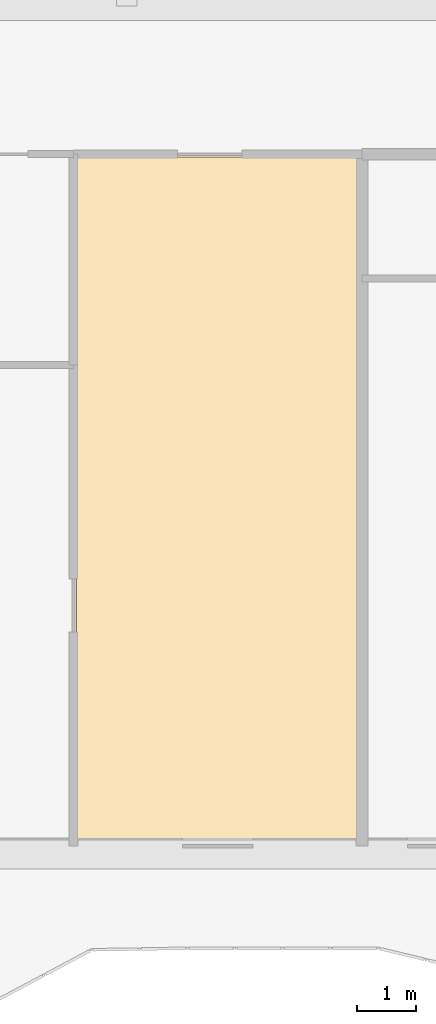
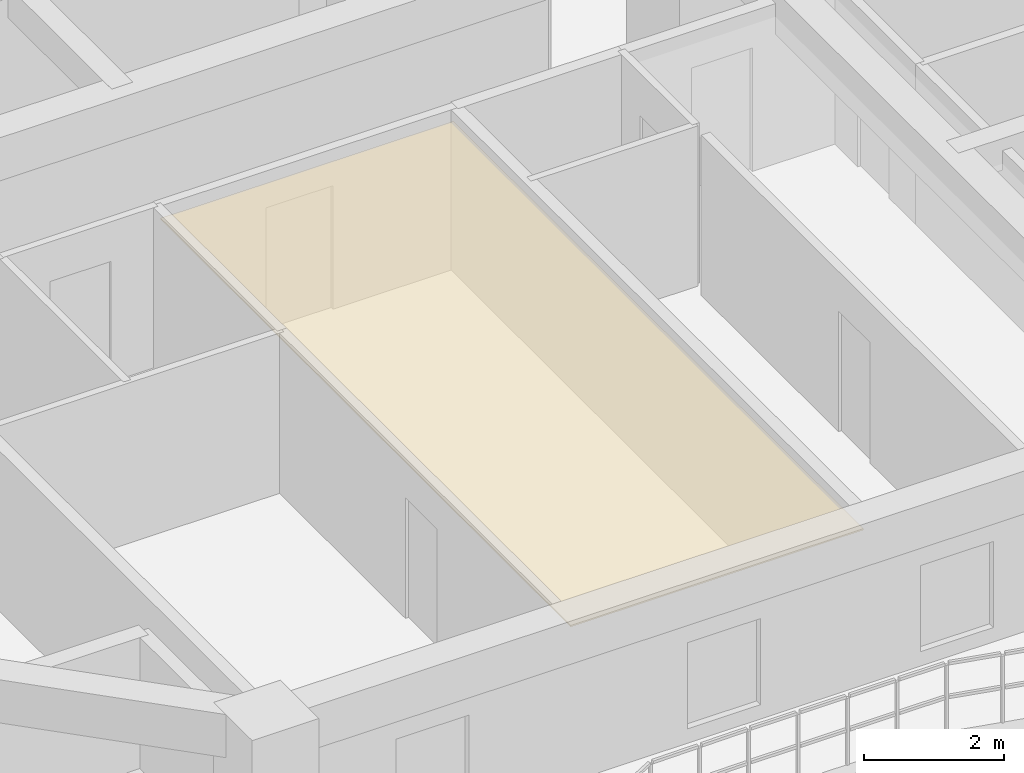
# One storey, part 10 of 15: 1 covering.
"""IFC4 building model written with IfcOpenShell, lengths in metres."""

from ifc_helpers import new_model, si_unit, direction, frame, origin, place, context, subcontext, project, spatial, polyline, outline, extrude, material, layer, layer_set, type_object, element, save


model = new_model("IFC4")

# Units and contexts
model_context = context("Model", 3, precision=1e-05, world=origin(), true_north=direction((0.0, 1.0)))
body_context = subcontext(model_context, "Body", "Model", "MODEL_VIEW")
ifc_project = project(units=[si_unit("LENGTHUNIT", "METRE"), si_unit("AREAUNIT", "SQUARE_METRE"), si_unit("VOLUMEUNIT", "CUBIC_METRE"), si_unit("PLANEANGLEUNIT", "RADIAN"), si_unit("MASSUNIT", "GRAM", prefix="KILO")], contexts=[model_context])

# Site, building, storey
site_placement = place(None, origin())
site = spatial("IfcSite", under=ifc_project, at=site_placement, CompositionType="ELEMENT")
building_placement = place(site_placement, origin())
building = spatial("IfcBuilding", under=site, at=building_placement, Name="Saelheon Loggia Tower", CompositionType="ELEMENT")
storey_placement = place(building_placement, frame((0.0, 0.0, 46.39990234375)))
storey = spatial("IfcBuildingStorey", under=building, at=storey_placement, Name="L14", CompositionType="ELEMENT", Elevation=46.39990234375)

# Covering
ifc_material = material(Name="Mineral-Fibre Acoustic Ceiling Board", Category="gypsum")
ifc_layer = layer(ifc_material, 0.02490234375)
ifc_layer_set = layer_set([ifc_layer], Name="Mineral-Fibre Acoustic Ceiling Board")
covering_type = type_object("IfcCoveringType", Name="Cov_Ceiling_Acoustic", PredefinedType="CEILING", material=ifc_layer_set)
covering_placement = place(storey_placement, frame((0.0, 0.0, 2.53515625)))
element("IfcCovering", 1, at=covering_placement, inside=storey, type_object=covering_type, Name="L14 Acoustic Suspended Ceiling", PredefinedType="CEILING", context=body_context, shape_type="SweptSolid", body=[
    extrude(outline(polyline([(20.6298828125, 3.199951171875), (25.45068359375, 3.199951171875), (25.45068359375, 14.89990234375), (20.6298828125, 14.89990234375), (20.6298828125, 3.199951171875)])), origin(), (0.0, 0.0, 1.0), 0.02490234375),
])

save(model, "model.ifc")
